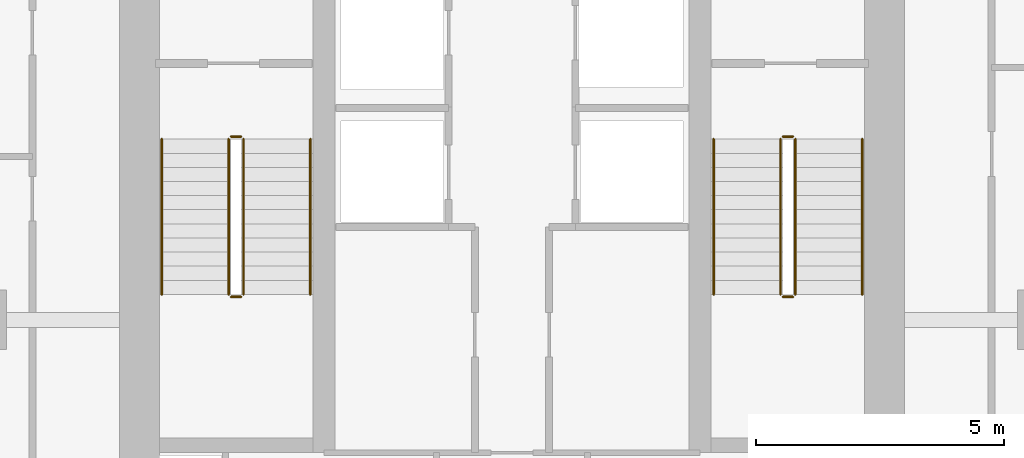
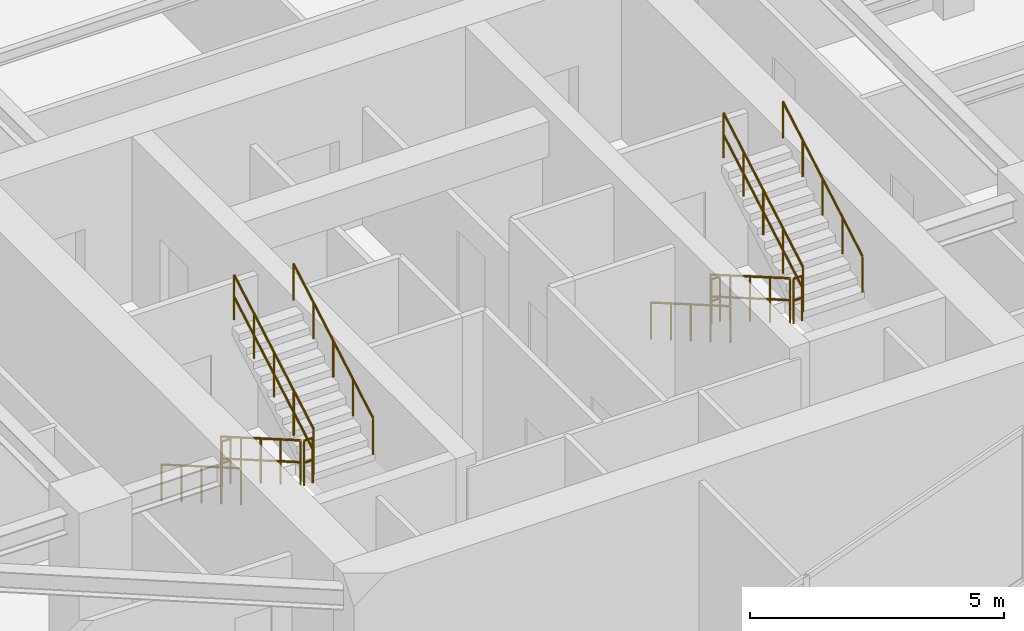
# One storey, part 20 of 21: 12 railings.
"""IFC4 building model written with IfcOpenShell, lengths in metres."""

from ifc_helpers import new_model, si_unit, direction, frame, origin, origin_2d, place, context, subcontext, project, spatial, circle, extrude, material, layer, layer_set, type_object, element, save


model = new_model("IFC4")

# Units and contexts
model_context = context("Model", 3, precision=1e-05, world=origin(), true_north=direction((0.0, 1.0)))
body_context = subcontext(model_context, "Body", "Model", "MODEL_VIEW")
ifc_project = project(units=[si_unit("LENGTHUNIT", "METRE"), si_unit("AREAUNIT", "SQUARE_METRE"), si_unit("VOLUMEUNIT", "CUBIC_METRE"), si_unit("PLANEANGLEUNIT", "RADIAN"), si_unit("MASSUNIT", "GRAM", prefix="KILO")], contexts=[model_context])

# Site, building, storey
site_placement = place(None, origin())
site = spatial("IfcSite", under=ifc_project, at=site_placement, CompositionType="ELEMENT")
building_placement = place(site_placement, origin())
building = spatial("IfcBuilding", under=site, at=building_placement, Name="Krantzveldt Concourse Tower", CompositionType="ELEMENT")
storey_placement = place(building_placement, frame((0.0, 0.0, 331.64990234375)))
storey = spatial("IfcBuildingStorey", under=building, at=storey_placement, Name="L81", CompositionType="ELEMENT", Elevation=331.64990234375)

# Railings
ifc_material = material(Name="Stainless steel 316L", Category="steel")
ifc_layer_1 = layer(ifc_material, 0.06005859375, Name="Stainless steel 316L", Category="steel")
ifc_layer_set_1 = layer_set([ifc_layer_1], Name="Stainless steel 316L (RL-GUARD-1120)")
railing_type_1 = type_object("IfcRailingType", Name="RL-GUARD-1120", PredefinedType="GUARDRAIL", material=ifc_layer_set_1)
railing_1_placement = place(storey_placement, frame((30.280029296875, 19.550048828125, 0.164794921875)))
element("IfcRailing", 1, at=railing_1_placement, inside=storey, type_object=railing_type_1, Name="L81 ST-1 stair guard 1", PredefinedType="GUARDRAIL", context=body_context, shape_type="SweptSolid", body=[
    extrude(circle(Radius=0.02392578125, at=origin_2d()), frame((0.0, 0.0, 1.076171875), z_axis=(0.0, -0.865989039225, 0.500062979975), x_axis=(1.0, 0.0, 0.0)), (0.0, 0.0, 1.0), 3.6201171875),
    extrude(circle(Radius=0.02392578125, at=origin_2d()), frame((0.0, 0.0, 0.550048828125), z_axis=(0.0, -0.865989039225, 0.500062979975), x_axis=(1.0, 0.0, 0.0)), (0.0, 0.0, 1.0), 3.6201171875),
    extrude(circle(Radius=0.02099609375, at=origin_2d()), origin(), (0.0, 0.0, 1.0), 1.052001953125),
    extrude(circle(Radius=0.02099609375, at=origin_2d()), frame((0.0, -0.78369140625, 0.45263671875)), (0.0, 0.0, 1.0), 1.052001953125),
    extrude(circle(Radius=0.02099609375, at=origin_2d()), frame((0.0, -1.5673828125, 0.9052734375)), (0.0, 0.0, 1.0), 1.052001953125),
    extrude(circle(Radius=0.02099609375, at=origin_2d()), frame((0.0, -2.351318359375, 1.357666015625)), (0.0, 0.0, 1.0), 1.052001953125),
    extrude(circle(Radius=0.02099609375, at=origin_2d()), frame((0.0, -3.135009765625, 1.810302734375)), (0.0, 0.0, 1.0), 1.052001953125),
])
railing_2_placement = place(storey_placement, frame((30.330078125, 16.364990234375, 1.97509765625)))
element("IfcRailing", 2, at=railing_2_placement, inside=storey, type_object=railing_type_1, Name="L81 ST-1 stair guard 2", PredefinedType="GUARDRAIL", context=body_context, shape_type="SweptSolid", body=[
    extrude(circle(Radius=0.02392578125, at=origin_2d()), frame((0.0, 0.0, 1.076171875), z_axis=(1.0, 0.0, 0.0), x_axis=(0.0, 1.0, 0.0)), (0.0, 0.0, 1.0), 0.199951171875),
    extrude(circle(Radius=0.02392578125, at=origin_2d()), frame((0.0, 0.0, 0.550048828125), z_axis=(1.0, 0.0, 0.0), x_axis=(0.0, 1.0, 0.0)), (0.0, 0.0, 1.0), 0.199951171875),
    extrude(circle(Radius=0.02099609375, at=origin_2d()), origin(), (0.0, 0.0, 1.0), 1.052001953125),
    extrude(circle(Radius=0.02099609375, at=origin_2d()), frame((0.199951171875, 0.0, 0.0)), (0.0, 0.0, 1.0), 1.052001953125),
])
railing_3_placement = place(storey_placement, frame((30.580078125, 16.4150390625, 2.1396484375)))
element("IfcRailing", 3, at=railing_3_placement, inside=storey, type_object=railing_type_1, Name="L81 ST-1 stair guard 3", PredefinedType="GUARDRAIL", context=body_context, shape_type="SweptSolid", body=[
    extrude(circle(Radius=0.02392578125, at=origin_2d()), frame((0.0, 0.0, 1.076171875), z_axis=(0.0, 0.865959834175, 0.500113552702), x_axis=(-1.0, 0.0, 0.0)), (0.0, 0.0, 1.0), 3.620361328125),
    extrude(circle(Radius=0.02392578125, at=origin_2d()), frame((0.0, 0.0, 0.550048828125), z_axis=(0.0, 0.865959834175, 0.500113552702), x_axis=(-1.0, 0.0, 0.0)), (0.0, 0.0, 1.0), 3.620361328125),
    extrude(circle(Radius=0.02099609375, at=origin_2d()), origin(), (0.0, 0.0, 1.0), 1.052001953125),
    extrude(circle(Radius=0.02099609375, at=origin_2d()), frame((0.0, 0.78369140625, 0.45263671875)), (0.0, 0.0, 1.0), 1.052001953125),
    extrude(circle(Radius=0.02099609375, at=origin_2d()), frame((0.0, 1.5673828125, 0.9052734375)), (0.0, 0.0, 1.0), 1.052001953125),
    extrude(circle(Radius=0.02099609375, at=origin_2d()), frame((0.0, 2.351318359375, 1.35791015625)), (0.0, 0.0, 1.0), 1.052001953125),
    extrude(circle(Radius=0.02099609375, at=origin_2d()), frame((0.0, 3.135009765625, 1.810546875)), (0.0, 0.0, 1.0), 1.052001953125),
])
railing_4_placement = place(storey_placement, frame((30.330078125, 19.60009765625, 0.0)))
element("IfcRailing", 4, at=railing_4_placement, inside=storey, type_object=railing_type_1, Name="L81 ST-1 stair guard 4", PredefinedType="GUARDRAIL", context=body_context, shape_type="SweptSolid", body=[
    extrude(circle(Radius=0.02392578125, at=origin_2d()), frame((0.0, 0.0, 1.076171875), z_axis=(1.0, 0.0, 0.0), x_axis=(0.0, 1.0, 0.0)), (0.0, 0.0, 1.0), 0.199951171875),
    extrude(circle(Radius=0.02392578125, at=origin_2d()), frame((0.0, 0.0, 0.550048828125), z_axis=(1.0, 0.0, 0.0), x_axis=(0.0, 1.0, 0.0)), (0.0, 0.0, 1.0), 0.199951171875),
    extrude(circle(Radius=0.02099609375, at=origin_2d()), origin(), (0.0, 0.0, 1.0), 1.052001953125),
    extrude(circle(Radius=0.02099609375, at=origin_2d()), frame((0.199951171875, 0.0, 0.0)), (0.0, 0.0, 1.0), 1.052001953125),
])
railing_5_placement = place(storey_placement, frame((41.419921875, 19.550048828125, 0.164794921875)))
element("IfcRailing", 5, at=railing_5_placement, inside=storey, type_object=railing_type_1, Name="L81 ST-2 stair guard 1", PredefinedType="GUARDRAIL", context=body_context, shape_type="SweptSolid", body=[
    extrude(circle(Radius=0.02392578125, at=origin_2d()), frame((0.0, 0.0, 1.076171875), z_axis=(0.0, -0.865989039225, 0.500062979975), x_axis=(1.0, 0.0, 0.0)), (0.0, 0.0, 1.0), 3.6201171875),
    extrude(circle(Radius=0.02392578125, at=origin_2d()), frame((0.0, 0.0, 0.550048828125), z_axis=(0.0, -0.865989039225, 0.500062979975), x_axis=(1.0, 0.0, 0.0)), (0.0, 0.0, 1.0), 3.6201171875),
    extrude(circle(Radius=0.02099609375, at=origin_2d()), origin(), (0.0, 0.0, 1.0), 1.052001953125),
    extrude(circle(Radius=0.02099609375, at=origin_2d()), frame((0.0, -0.78369140625, 0.45263671875)), (0.0, 0.0, 1.0), 1.052001953125),
    extrude(circle(Radius=0.02099609375, at=origin_2d()), frame((0.0, -1.5673828125, 0.9052734375)), (0.0, 0.0, 1.0), 1.052001953125),
    extrude(circle(Radius=0.02099609375, at=origin_2d()), frame((0.0, -2.351318359375, 1.357666015625)), (0.0, 0.0, 1.0), 1.052001953125),
    extrude(circle(Radius=0.02099609375, at=origin_2d()), frame((0.0, -3.135009765625, 1.810302734375)), (0.0, 0.0, 1.0), 1.052001953125),
])
railing_6_placement = place(storey_placement, frame((41.469970703125, 16.364990234375, 1.97509765625)))
element("IfcRailing", 6, at=railing_6_placement, inside=storey, type_object=railing_type_1, Name="L81 ST-2 stair guard 2", PredefinedType="GUARDRAIL", context=body_context, shape_type="SweptSolid", body=[
    extrude(circle(Radius=0.02392578125, at=origin_2d()), frame((0.0, 0.0, 1.076171875), z_axis=(1.0, 0.0, 0.0), x_axis=(0.0, 1.0, 0.0)), (0.0, 0.0, 1.0), 0.199951171875),
    extrude(circle(Radius=0.02392578125, at=origin_2d()), frame((0.0, 0.0, 0.550048828125), z_axis=(1.0, 0.0, 0.0), x_axis=(0.0, 1.0, 0.0)), (0.0, 0.0, 1.0), 0.199951171875),
    extrude(circle(Radius=0.02099609375, at=origin_2d()), origin(), (0.0, 0.0, 1.0), 1.052001953125),
    extrude(circle(Radius=0.02099609375, at=origin_2d()), frame((0.199951171875, 0.0, 0.0)), (0.0, 0.0, 1.0), 1.052001953125),
])
railing_7_placement = place(storey_placement, frame((41.719970703125, 16.4150390625, 2.1396484375)))
element("IfcRailing", 7, at=railing_7_placement, inside=storey, type_object=railing_type_1, Name="L81 ST-2 stair guard 3", PredefinedType="GUARDRAIL", context=body_context, shape_type="SweptSolid", body=[
    extrude(circle(Radius=0.02392578125, at=origin_2d()), frame((0.0, 0.0, 1.076171875), z_axis=(0.0, 0.865959834175, 0.500113552702), x_axis=(-1.0, 0.0, 0.0)), (0.0, 0.0, 1.0), 3.620361328125),
    extrude(circle(Radius=0.02392578125, at=origin_2d()), frame((0.0, 0.0, 0.550048828125), z_axis=(0.0, 0.865959834175, 0.500113552702), x_axis=(-1.0, 0.0, 0.0)), (0.0, 0.0, 1.0), 3.620361328125),
    extrude(circle(Radius=0.02099609375, at=origin_2d()), origin(), (0.0, 0.0, 1.0), 1.052001953125),
    extrude(circle(Radius=0.02099609375, at=origin_2d()), frame((0.0, 0.78369140625, 0.45263671875)), (0.0, 0.0, 1.0), 1.052001953125),
    extrude(circle(Radius=0.02099609375, at=origin_2d()), frame((0.0, 1.5673828125, 0.9052734375)), (0.0, 0.0, 1.0), 1.052001953125),
    extrude(circle(Radius=0.02099609375, at=origin_2d()), frame((0.0, 2.351318359375, 1.35791015625)), (0.0, 0.0, 1.0), 1.052001953125),
    extrude(circle(Radius=0.02099609375, at=origin_2d()), frame((0.0, 3.135009765625, 1.810546875)), (0.0, 0.0, 1.0), 1.052001953125),
])
railing_8_placement = place(storey_placement, frame((41.469970703125, 19.60009765625, 0.0)))
element("IfcRailing", 8, at=railing_8_placement, inside=storey, type_object=railing_type_1, Name="L81 ST-2 stair guard 4", PredefinedType="GUARDRAIL", context=body_context, shape_type="SweptSolid", body=[
    extrude(circle(Radius=0.02392578125, at=origin_2d()), frame((0.0, 0.0, 1.076171875), z_axis=(1.0, 0.0, 0.0), x_axis=(0.0, 1.0, 0.0)), (0.0, 0.0, 1.0), 0.199951171875),
    extrude(circle(Radius=0.02392578125, at=origin_2d()), frame((0.0, 0.0, 0.550048828125), z_axis=(1.0, 0.0, 0.0), x_axis=(0.0, 1.0, 0.0)), (0.0, 0.0, 1.0), 0.199951171875),
    extrude(circle(Radius=0.02099609375, at=origin_2d()), origin(), (0.0, 0.0, 1.0), 1.052001953125),
    extrude(circle(Radius=0.02099609375, at=origin_2d()), frame((0.199951171875, 0.0, 0.0)), (0.0, 0.0, 1.0), 1.052001953125),
])
ifc_layer_2 = layer(ifc_material, 0.050048828125, Name="Stainless steel 316L", Category="steel")
ifc_layer_set_2 = layer_set([ifc_layer_2], Name="Stainless steel 316L (RL-HANDRAIL-920)")
railing_type_2 = type_object("IfcRailingType", Name="RL-HANDRAIL-920", PredefinedType="HANDRAIL", material=ifc_layer_set_2)
railing_9_placement = place(storey_placement, frame((28.929931640625, 19.550048828125, 0.164794921875)))
element("IfcRailing", 9, at=railing_9_placement, inside=storey, type_object=railing_type_2, Name="L81 ST-1 stair handrail 1", PredefinedType="HANDRAIL", context=body_context, shape_type="SweptSolid", body=[
    extrude(circle(Radius=0.02392578125, at=origin_2d()), frame((0.0, 0.0, 0.8759765625), z_axis=(0.0, -0.865989039225, 0.500062979975), x_axis=(1.0, 0.0, 0.0)), (0.0, 0.0, 1.0), 3.6201171875),
    extrude(circle(Radius=0.02099609375, at=origin_2d()), origin(), (0.0, 0.0, 1.0), 0.851806640625),
    extrude(circle(Radius=0.02099609375, at=origin_2d()), frame((0.0, -0.78369140625, 0.45263671875)), (0.0, 0.0, 1.0), 0.851806640625),
    extrude(circle(Radius=0.02099609375, at=origin_2d()), frame((0.0, -1.5673828125, 0.9052734375)), (0.0, 0.0, 1.0), 0.851806640625),
    extrude(circle(Radius=0.02099609375, at=origin_2d()), frame((0.0, -2.351318359375, 1.357666015625)), (0.0, 0.0, 1.0), 0.851806640625),
    extrude(circle(Radius=0.02099609375, at=origin_2d()), frame((0.0, -3.135009765625, 1.810302734375)), (0.0, 0.0, 1.0), 0.851806640625),
])
railing_10_placement = place(storey_placement, frame((31.929931640625, 16.4150390625, 2.1396484375)))
element("IfcRailing", 10, at=railing_10_placement, inside=storey, type_object=railing_type_2, Name="L81 ST-1 stair handrail 2", PredefinedType="HANDRAIL", context=body_context, shape_type="SweptSolid", body=[
    extrude(circle(Radius=0.02392578125, at=origin_2d()), frame((0.0, 0.0, 0.8759765625), z_axis=(0.0, 0.865959834175, 0.500113552702), x_axis=(-1.0, 0.0, 0.0)), (0.0, 0.0, 1.0), 3.620361328125),
    extrude(circle(Radius=0.02099609375, at=origin_2d()), origin(), (0.0, 0.0, 1.0), 0.851806640625),
    extrude(circle(Radius=0.02099609375, at=origin_2d()), frame((0.0, 0.78369140625, 0.45263671875)), (0.0, 0.0, 1.0), 0.851806640625),
    extrude(circle(Radius=0.02099609375, at=origin_2d()), frame((0.0, 1.5673828125, 0.9052734375)), (0.0, 0.0, 1.0), 0.851806640625),
    extrude(circle(Radius=0.02099609375, at=origin_2d()), frame((0.0, 2.351318359375, 1.35791015625)), (0.0, 0.0, 1.0), 0.851806640625),
    extrude(circle(Radius=0.02099609375, at=origin_2d()), frame((0.0, 3.135009765625, 1.810546875)), (0.0, 0.0, 1.0), 0.851806640625),
])
railing_11_placement = place(storey_placement, frame((40.070068359375, 19.550048828125, 0.164794921875)))
element("IfcRailing", 11, at=railing_11_placement, inside=storey, type_object=railing_type_2, Name="L81 ST-2 stair handrail 1", PredefinedType="HANDRAIL", context=body_context, shape_type="SweptSolid", body=[
    extrude(circle(Radius=0.02392578125, at=origin_2d()), frame((0.0, 0.0, 0.8759765625), z_axis=(0.0, -0.865989039225, 0.500062979975), x_axis=(1.0, 0.0, 0.0)), (0.0, 0.0, 1.0), 3.6201171875),
    extrude(circle(Radius=0.02099609375, at=origin_2d()), origin(), (0.0, 0.0, 1.0), 0.851806640625),
    extrude(circle(Radius=0.02099609375, at=origin_2d()), frame((0.0, -0.78369140625, 0.45263671875)), (0.0, 0.0, 1.0), 0.851806640625),
    extrude(circle(Radius=0.02099609375, at=origin_2d()), frame((0.0, -1.5673828125, 0.9052734375)), (0.0, 0.0, 1.0), 0.851806640625),
    extrude(circle(Radius=0.02099609375, at=origin_2d()), frame((0.0, -2.351318359375, 1.357666015625)), (0.0, 0.0, 1.0), 0.851806640625),
    extrude(circle(Radius=0.02099609375, at=origin_2d()), frame((0.0, -3.135009765625, 1.810302734375)), (0.0, 0.0, 1.0), 0.851806640625),
])
railing_12_placement = place(storey_placement, frame((43.070068359375, 16.4150390625, 2.1396484375)))
element("IfcRailing", 12, at=railing_12_placement, inside=storey, type_object=railing_type_2, Name="L81 ST-2 stair handrail 2", PredefinedType="HANDRAIL", context=body_context, shape_type="SweptSolid", body=[
    extrude(circle(Radius=0.02392578125, at=origin_2d()), frame((0.0, 0.0, 0.8759765625), z_axis=(0.0, 0.865959834175, 0.500113552702), x_axis=(-1.0, 0.0, 0.0)), (0.0, 0.0, 1.0), 3.620361328125),
    extrude(circle(Radius=0.02099609375, at=origin_2d()), origin(), (0.0, 0.0, 1.0), 0.851806640625),
    extrude(circle(Radius=0.02099609375, at=origin_2d()), frame((0.0, 0.78369140625, 0.45263671875)), (0.0, 0.0, 1.0), 0.851806640625),
    extrude(circle(Radius=0.02099609375, at=origin_2d()), frame((0.0, 1.5673828125, 0.9052734375)), (0.0, 0.0, 1.0), 0.851806640625),
    extrude(circle(Radius=0.02099609375, at=origin_2d()), frame((0.0, 2.351318359375, 1.35791015625)), (0.0, 0.0, 1.0), 0.851806640625),
    extrude(circle(Radius=0.02099609375, at=origin_2d()), frame((0.0, 3.135009765625, 1.810546875)), (0.0, 0.0, 1.0), 0.851806640625),
])

save(model, "model.ifc")
